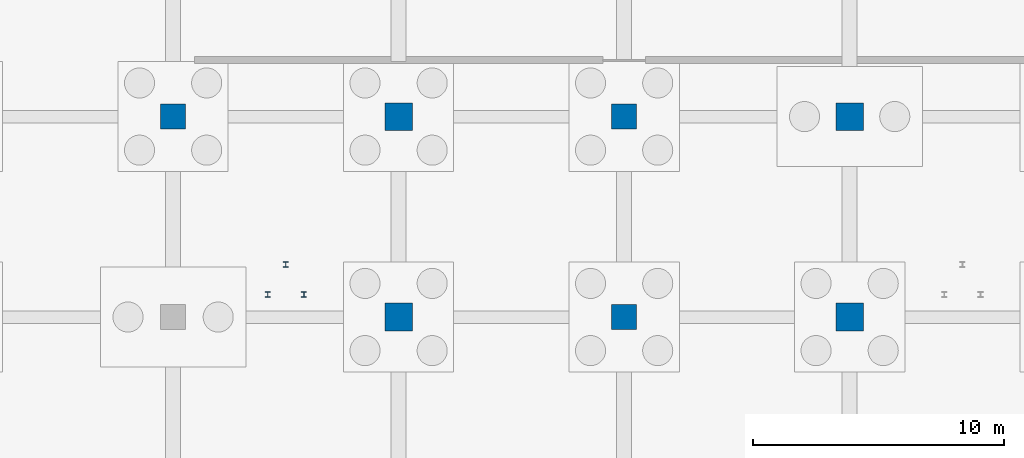
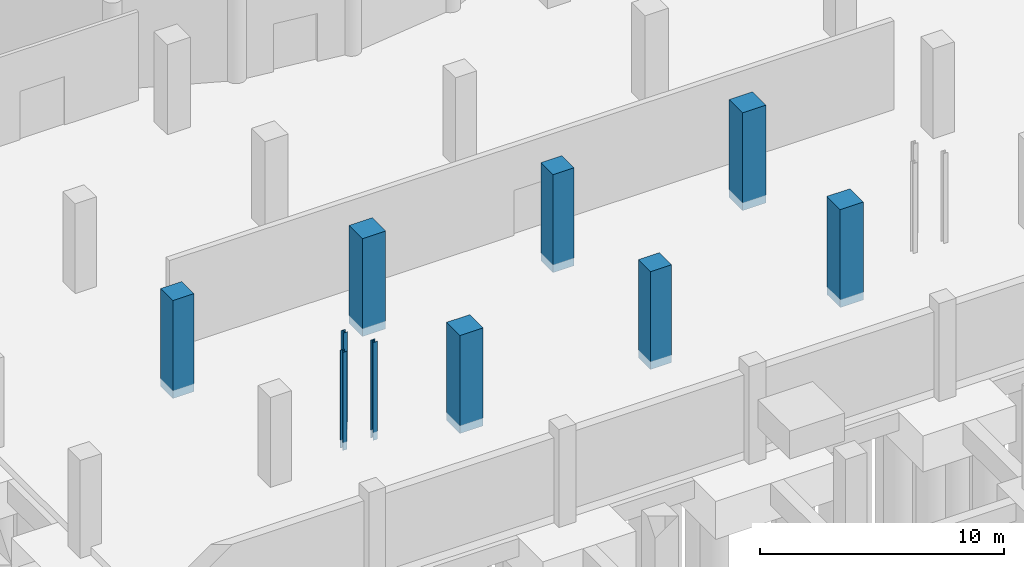
# One storey, part 15 of 40: 10 columns.
"""IFC4 building model written with IfcOpenShell, lengths in metres."""

from ifc_helpers import new_model, si_unit, direction, frame, origin, origin_2d, place, context, subcontext, project, spatial, rectangle, i_section, extrude, material, material_profile, profile_set, type_object, element, save


model = new_model("IFC4")

# Units and contexts
model_context = context("Model", 3, precision=1e-05, world=origin(), true_north=direction((0.0, 1.0)))
body_context = subcontext(model_context, "Body", "Model", "MODEL_VIEW")
ifc_project = project(units=[si_unit("LENGTHUNIT", "METRE"), si_unit("AREAUNIT", "SQUARE_METRE"), si_unit("VOLUMEUNIT", "CUBIC_METRE"), si_unit("PLANEANGLEUNIT", "RADIAN"), si_unit("MASSUNIT", "GRAM", prefix="KILO")], contexts=[model_context])

# Site, building, storey
site_placement = place(None, origin())
site = spatial("IfcSite", under=ifc_project, at=site_placement, CompositionType="ELEMENT")
building_placement = place(site_placement, origin())
building = spatial("IfcBuilding", under=site, at=building_placement, Name="Marnock Terrace Opera House", CompositionType="ELEMENT")
storey_placement = place(building_placement, frame((0.0, 0.0, -4.800048828125)))
storey = spatial("IfcBuildingStorey", under=building, at=storey_placement, Name="B1", CompositionType="ELEMENT", Elevation=-4.800048828125)

# Columns
ifc_material_1 = material(Name="Concrete N50 (f'c = 50 MPa)", Category="concrete")
ifc_material_profile_1 = material_profile(ifc_material_1, rectangle(XDim=1.0, YDim=1.0, at=origin_2d()))
ifc_profile_set_1 = profile_set([ifc_material_profile_1], Name="Concrete N50 (f'c = 50 MPa)")
column_type_1 = type_object("IfcColumnType", Name="COL-RC1000", PredefinedType="COLUMN", material=ifc_profile_set_1)
for number, where, z_axis, x_axis, name in (
    (1, (64.0, 24.0, -0.39990234375), (0.0, 0.0, 1.0), (1.0, 0.0, 0.0), "B1 column at (64.0, 24.0)"),
    (2, (82.0, 16.0, -0.39990234375), (0.0, 0.0, 1.0), (1.0, 0.0, 0.0), "B1 column at (82.0, 16.0)"),
    (3, (82.0, 24.0, -0.39990234375), (0.0, 0.0, 1.0), (1.0, 0.0, 0.0), "B1 column at (82.0, 24.0)"),
):
    element("IfcColumn", number, at=place(storey_placement, frame(where, z_axis=z_axis, x_axis=x_axis)), inside=storey, type_object=column_type_1, Name=name, PredefinedType="COLUMN", context=body_context, shape_type="SweptSolid", body=[
        extrude(rectangle(XDim=1.0, YDim=1.0, at=origin_2d()), origin(), (0.0, 0.0, 1.0), 4.89990234375),
    ])
ifc_material_profile_2 = material_profile(ifc_material_1, rectangle(XDim=1.10009765625, YDim=1.10009765625, at=origin_2d()))
ifc_profile_set_2 = profile_set([ifc_material_profile_2], Name="Concrete N50 (f'c = 50 MPa)")
column_type_2 = type_object("IfcColumnType", Name="COL-RC1100", PredefinedType="COLUMN", material=ifc_profile_set_2)
for number, where, z_axis, x_axis, name in (
    (4, (73.0, 16.0, -0.39990234375), (0.0, 0.0, 1.0), (1.0, 0.0, 0.0), "B1 column at (73.0, 16.0)"),
    (5, (73.0, 24.0, -0.39990234375), (0.0, 0.0, 1.0), (1.0, 0.0, 0.0), "B1 column at (73.0, 24.0)"),
    (6, (91.0, 16.0, -0.39990234375), (0.0, 0.0, 1.0), (1.0, 0.0, 0.0), "B1 column at (91.0, 16.0)"),
    (7, (91.0, 24.0, -0.39990234375), (0.0, 0.0, 1.0), (1.0, 0.0, 0.0), "B1 column at (91.0, 24.0)"),
):
    element("IfcColumn", number, at=place(storey_placement, frame(where, z_axis=z_axis, x_axis=x_axis)), inside=storey, type_object=column_type_2, Name=name, PredefinedType="COLUMN", context=body_context, shape_type="SweptSolid", body=[
        extrude(rectangle(XDim=1.10009765625, YDim=1.10009765625, at=origin_2d()), origin(), (0.0, 0.0, 1.0), 4.89990234375),
    ])
ifc_material_2 = material(Name="Steel Grade 350 (AS/NZS 3679.1)", Category="steel")
ifc_material_profile_3 = material_profile(ifc_material_2, i_section(OverallWidth=0.205078125, OverallDepth=0.209716796875, WebThickness=0.00927734375, FlangeThickness=0.01416015625, FilletRadius=0.011474609375, at=origin_2d()))
ifc_profile_set_3 = profile_set([ifc_material_profile_3], Name="Steel Grade 350 (AS/NZS 3679.1)")
column_type_3 = type_object("IfcColumnType", Name="COL-UC200", PredefinedType="COLUMN", material=ifc_profile_set_3)
for number, where, z_axis, x_axis, name in (
    (8, (67.780029296875, 16.89990234375, -0.39990234375), (0.0, 0.0, 1.0), (1.0, 0.0, 0.0), "B1 Grand Stair ST-09 under-foyer pier SW"),
    (9, (69.219970703125, 16.89990234375, -0.39990234375), (0.0, 0.0, 1.0), (1.0, 0.0, 0.0), "B1 Grand Stair ST-09 under-foyer pier SE"),
    (10, (68.5, 18.10009765625, -0.39990234375), (0.0, 0.0, 1.0), (1.0, 0.0, 0.0), "B1 Grand Stair ST-09 under-foyer pier N"),
):
    element("IfcColumn", number, at=place(storey_placement, frame(where, z_axis=z_axis, x_axis=x_axis)), inside=storey, type_object=column_type_3, Name=name, PredefinedType="COLUMN", context=body_context, shape_type="SweptSolid", body=[
        extrude(i_section(OverallWidth=0.205078125, OverallDepth=0.209716796875, WebThickness=0.00927734375, FlangeThickness=0.01416015625, FilletRadius=0.011474609375, at=origin_2d()), origin(), (0.0, 0.0, 1.0), 4.89990234375),
    ])

save(model, "model.ifc")
